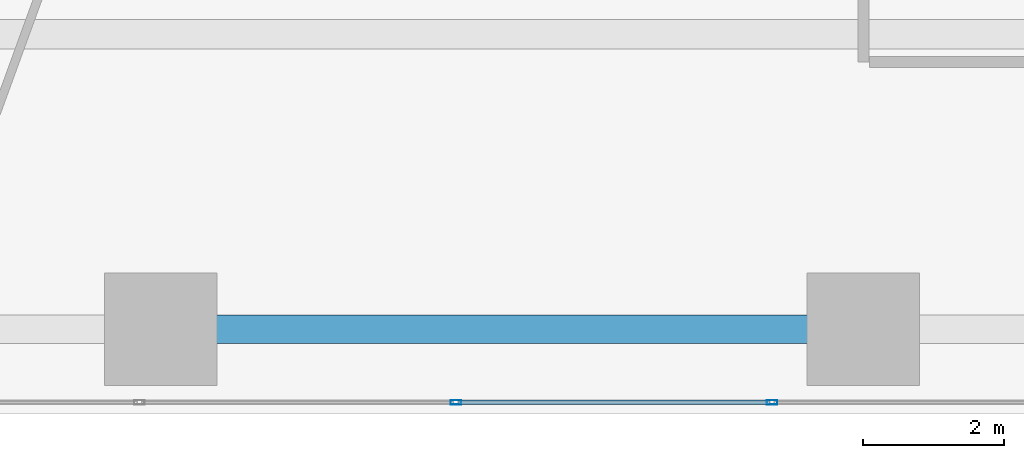
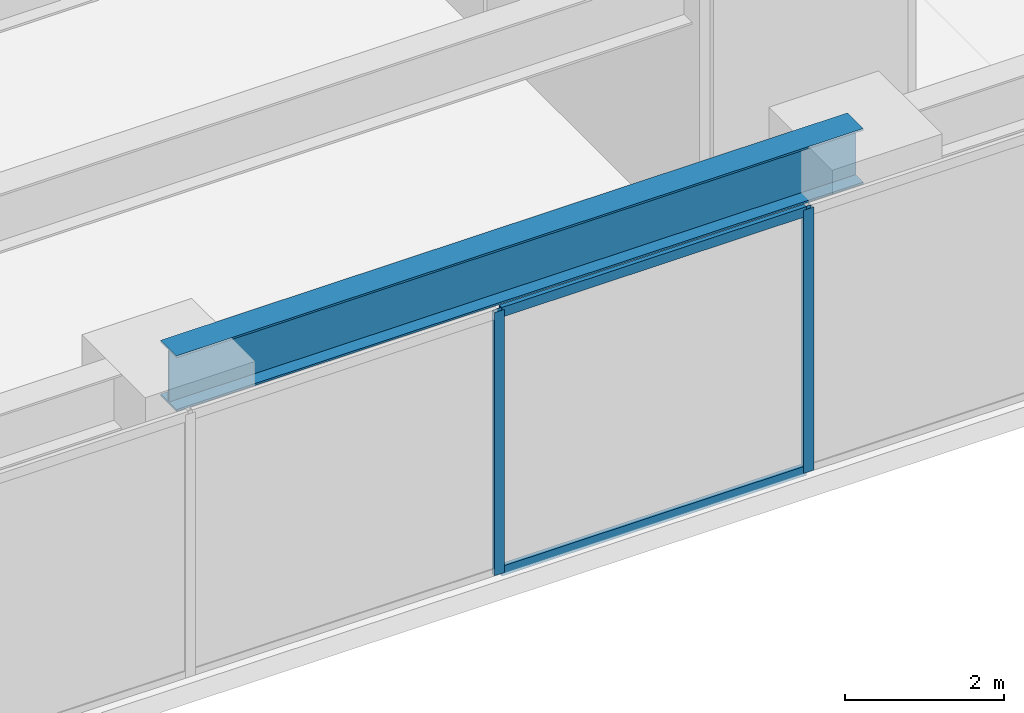
# One storey, part 4 of 25: 4 members, 1 beam, 1 element without a shape of its own.
"""IFC4 building model written with IfcOpenShell, lengths in metres."""

from ifc_helpers import new_model, si_unit, direction, frame, origin, origin_2d, place, context, subcontext, project, spatial, hollow_rectangle, i_section, extrude, source, transform, mapped, material, layer, layer_set, material_profile, profile_set, type_object, type_shapes, element, aggregate, save


model = new_model("IFC4")

# Units and contexts
model_context = context("Model", 3, precision=1e-05, world=origin(), true_north=direction((0.0, 1.0)))
body_context = subcontext(model_context, "Body", "Model", "MODEL_VIEW")
ifc_project = project(units=[si_unit("LENGTHUNIT", "METRE"), si_unit("AREAUNIT", "SQUARE_METRE"), si_unit("VOLUMEUNIT", "CUBIC_METRE"), si_unit("PLANEANGLEUNIT", "RADIAN"), si_unit("MASSUNIT", "GRAM", prefix="KILO")], contexts=[model_context])

# Site, building, storey
site_placement = place(None, origin())
site = spatial("IfcSite", under=ifc_project, at=site_placement, CompositionType="ELEMENT")
building_placement = place(site_placement, origin())
building = spatial("IfcBuilding", under=site, at=building_placement, Name="Talar Marvaseh", CompositionType="ELEMENT")
storey_placement = place(building_placement, frame((0.0, 0.0, 5.199951171875)))
storey = spatial("IfcBuildingStorey", under=building, at=storey_placement, Name="L01", CompositionType="ELEMENT", Elevation=5.199951171875)

# Beam
ifc_material_1 = material(Name="Steel S355", Category="steel")
ifc_material_profile_1 = material_profile(ifc_material_1, i_section(OverallWidth=0.39990234375, OverallDepth=0.85498046875, WebThickness=0.018310546875, FlangeThickness=0.029296875, at=origin_2d()), Name="W840x299")
ifc_profile_set_1 = profile_set([ifc_material_profile_1], Name="Steel S355")
beam_type = type_object("IfcBeamType", Name="Concourse Primary Girder W840x299", PredefinedType="BEAM", material=ifc_profile_set_1)
beam_placement = place(storey_placement, frame((22.800048828125, 9.199951171875, 3.87255859375), z_axis=(1.0, 0.0, 0.0), x_axis=(0.0, 1.0, 0.0)))
element("IfcBeam", 1, at=beam_placement, inside=storey, type_object=beam_type, Name="L01 Concourse Primary Girder W840x299", PredefinedType="BEAM", context=body_context, shape_type="SweptSolid", body=[
    extrude(i_section(OverallWidth=0.39990234375, OverallDepth=0.85498046875, WebThickness=0.018310546875, FlangeThickness=0.029296875, at=origin_2d()), origin(), (0.0, 0.0, 1.0), 10.0),
])

# Curtain wall, members
ifc_material_2 = material(Name="Architectural Aluminium", Category="aluminium")
ifc_layer = layer(ifc_material_2, 0.25)
ifc_layer_set = layer_set([ifc_layer], Name="Architectural Aluminium")
curtain_wall_type = type_object("IfcCurtainWallType", Name="Station Podium Monumental Iwan Curtain Wall", PredefinedType="NOTDEFINED", material=ifc_layer_set)
curtain_wall_placement = place(storey_placement, origin())
curtain_wall = element("IfcCurtainWall", 2, at=curtain_wall_placement, inside=storey, type_object=curtain_wall_type, Name="L01 Station Podium Monumental Iwan Curtain Wall", PredefinedType="NOTDEFINED")
ifc_material_profile_2 = material_profile(ifc_material_2, hollow_rectangle(XDim=0.06494140625, YDim=0.14990234375, WallThickness=0.00390625, at=origin_2d()), Name="RHS150x65x4")
ifc_profile_set_2 = profile_set([ifc_material_profile_2], Name="Architectural Aluminium")
member_type_1 = type_object("IfcMemberType", Name="Unitised Curtain Wall Slim Transom RHS150x65x4", PredefinedType="USERDEFINED", material=ifc_profile_set_2)
shared_shape_1 = source(origin(), body_context, "Body", "SweptSolid", [
    extrude(hollow_rectangle(XDim=0.06494140625, YDim=0.14990234375, WallThickness=0.00390625, at=origin_2d()), origin(), (0.0, 0.0, 1.0), 4.43505859375),
])
type_shapes(member_type_1, [shared_shape_1])
member_1_placement = place(storey_placement, frame((31.467529296875, 8.159912109375, 0.032470703125), z_axis=(-1.0, 0.0, 0.0), x_axis=(0.0, -1.0, 0.0)))
member_1 = element("IfcMember", 3, at=member_1_placement, type_object=member_type_1, Name="CW-POD transom 2.1", ObjectType="TRANSOM", PredefinedType="USERDEFINED", context=body_context, shape_type="MappedRepresentation", body=[
    mapped(shared_shape_1, transform((0.0, 0.0, 0.0), x_axis=(1.0, 0.0, 0.0), y_axis=(0.0, 1.0, 0.0), z_axis=(0.0, 0.0, 1.0), scale=1.0)),
])
member_2_placement = place(storey_placement, frame((31.467529296875, 8.159912109375, 4.017578125), z_axis=(-1.0, 0.0, 0.0), x_axis=(0.0, -1.0, 0.0)))
member_2 = element("IfcMember", 4, at=member_2_placement, type_object=member_type_1, Name="CW-POD transom 2.2", ObjectType="TRANSOM", PredefinedType="USERDEFINED", context=body_context, shape_type="MappedRepresentation", body=[
    mapped(shared_shape_1, transform((0.0, 0.0, 0.0), x_axis=(1.0, 0.0, 0.0), y_axis=(0.0, 1.0, 0.0), z_axis=(0.0, 0.0, 1.0), scale=1.0)),
])
ifc_material_profile_3 = material_profile(ifc_material_2, hollow_rectangle(XDim=0.06494140625, YDim=0.14990234375, WallThickness=0.00390625, at=origin_2d()), Name="RHS150x65x4")
ifc_profile_set_3 = profile_set([ifc_material_profile_3], Name="Architectural Aluminium")
member_type_2 = type_object("IfcMemberType", Name="Unitised Curtain Wall Slim Mullion RHS150x65x4", PredefinedType="MULLION", material=ifc_profile_set_3)
shared_shape_2 = source(origin(), body_context, "Body", "SweptSolid", [
    extrude(hollow_rectangle(XDim=0.06494140625, YDim=0.14990234375, WallThickness=0.00390625, at=origin_2d()), origin(), (0.0, 0.0, 1.0), 4.050048828125),
])
type_shapes(member_type_2, [shared_shape_2])
member_3_placement = place(storey_placement, frame((31.5, 8.159912109375, 0.0), z_axis=(0.0, 0.0, 1.0), x_axis=(0.0, -1.0, 0.0)))
member_3 = element("IfcMember", 5, at=member_3_placement, type_object=member_type_2, Name="CW-POD mullion 2", PredefinedType="MULLION", context=body_context, shape_type="MappedRepresentation", body=[
    mapped(shared_shape_2, transform((0.0, 0.0, 0.0), x_axis=(1.0, 0.0, 0.0), y_axis=(0.0, 1.0, 0.0), z_axis=(0.0, 0.0, 1.0), scale=1.0)),
])
member_4_placement = place(storey_placement, frame((27.0, 8.159912109375, 0.0), z_axis=(0.0, 0.0, 1.0), x_axis=(0.0, -1.0, 0.0)))
member_4 = element("IfcMember", 6, at=member_4_placement, type_object=member_type_2, Name="CW-POD mullion 3", PredefinedType="MULLION", context=body_context, shape_type="MappedRepresentation", body=[
    mapped(shared_shape_2, transform((0.0, 0.0, 0.0), x_axis=(1.0, 0.0, 0.0), y_axis=(0.0, 1.0, 0.0), z_axis=(0.0, 0.0, 1.0), scale=1.0)),
])
aggregate(curtain_wall, [member_3, member_4, member_1, member_2])

save(model, "model.ifc")
